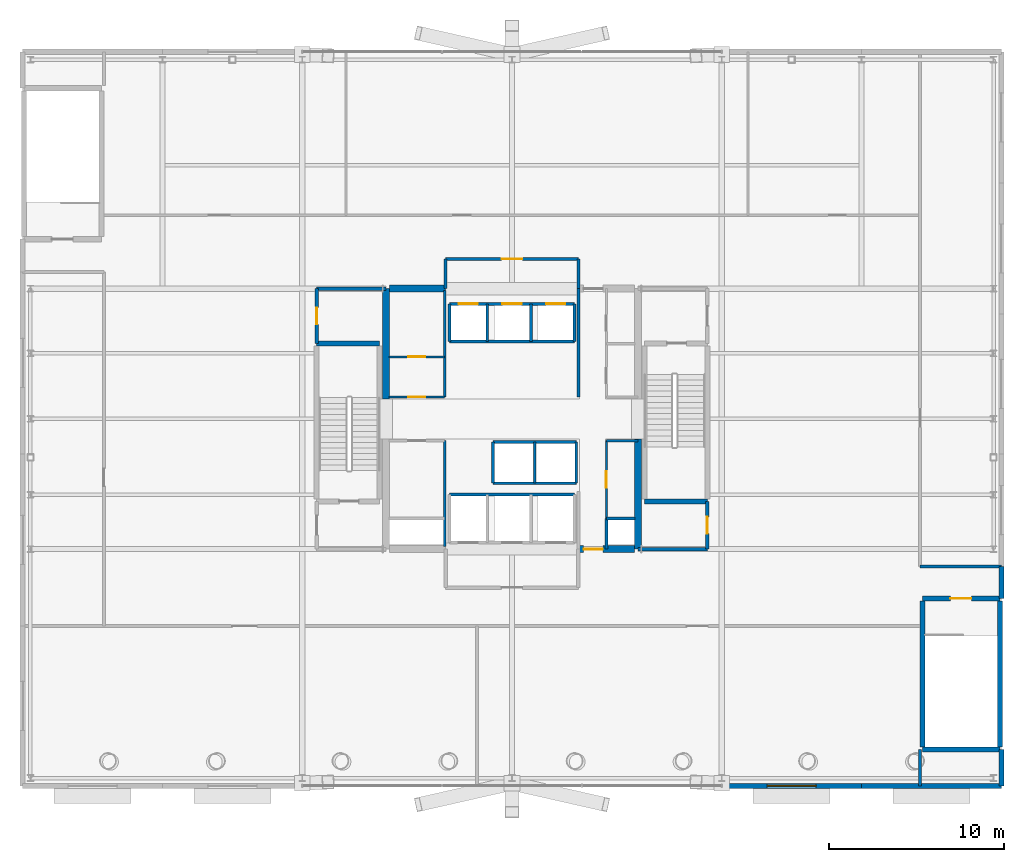
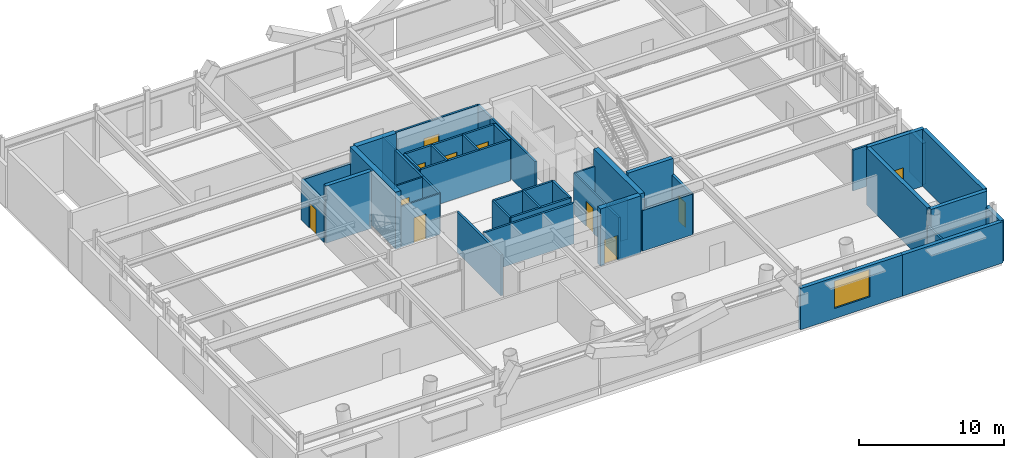
# One storey, part 16 of 21: 44 walls, 11 doors, 1 window, 12 openings.
"""IFC4 building model written with IfcOpenShell, lengths in metres."""

from ifc_helpers import new_model, si_unit, direction, frame, frame_2d, origin, place, context, subcontext, project, spatial, rectangle, extrude, material, layer, layer_set, type_object, element, fill, save


model = new_model("IFC4")

# Units and contexts
model_context = context("Model", 3, precision=1e-05, world=origin(), true_north=direction((0.0, 1.0)))
body_context = subcontext(model_context, "Body", "Model", "MODEL_VIEW")
ifc_project = project(units=[si_unit("LENGTHUNIT", "METRE"), si_unit("AREAUNIT", "SQUARE_METRE"), si_unit("VOLUMEUNIT", "CUBIC_METRE"), si_unit("PLANEANGLEUNIT", "RADIAN"), si_unit("MASSUNIT", "GRAM", prefix="KILO")], contexts=[model_context])

# Site, building, storey
site_placement = place(None, origin())
site = spatial("IfcSite", under=ifc_project, at=site_placement, CompositionType="ELEMENT")
building_placement = place(site_placement, origin())
building = spatial("IfcBuilding", under=site, at=building_placement, Name="Veldorina Hangang Commons", CompositionType="ELEMENT")
storey_placement = place(building_placement, frame((0.0, 0.0, 19.60009765625)))
storey = spatial("IfcBuildingStorey", under=building, at=storey_placement, Name="L04", CompositionType="ELEMENT", Elevation=19.60009765625)

# Walls
ifc_material_1 = material(Name="Concrete C70/85", Category="concrete")
ifc_layer_1 = layer(ifc_material_1, 0.39990234375)
ifc_layer_set_1 = layer_set([ifc_layer_1], Name="Concrete C70/85")
wall_type_1 = type_object("IfcWallType", Name="CW-RC400-C70", PredefinedType="SHEAR", material=ifc_layer_set_1)
for number, where, z_axis, x_axis, name in (
    (1, (24.800048828125, 25.14990234375, 0.0), (0.0, 0.0, 1.0), (0.0, 1.0, 0.0), "L04 W north core shear wall"),
    (2, (39.199951171875, 16.550048828125, 0.0), (0.0, 0.0, 1.0), (0.0, 1.0, 0.0), "L04 E south core shear wall"),
):
    element("IfcWall", number, at=place(storey_placement, frame(where, z_axis=z_axis, x_axis=x_axis)), inside=storey, type_object=wall_type_1, Name=name, PredefinedType="SHEAR", context=body_context, shape_type="SweptSolid", body=[
        extrude(rectangle(XDim=6.300048828125, YDim=0.39990234375, at=frame_2d((3.14990234375, 0.0))), origin(), (0.0, 0.0, 1.0), 4.7998046875),
    ])

# Wall, opening, door
wall_1_placement = place(storey_placement, frame((35.800048828125, 16.550048828125, 0.0), z_axis=(0.0, 0.0, 1.0), x_axis=(1.0, 0.0, 0.0)))
wall_1 = element("IfcWall", 3, at=wall_1_placement, inside=storey, type_object=wall_type_1, Name="L04 south-east core shear wall", PredefinedType="SHEAR", context=body_context, shape_type="SweptSolid", body=[
    extrude(rectangle(XDim=3.199951171875, YDim=0.39990234375, at=frame_2d((1.60009765625, 0.0))), origin(), (0.0, 0.0, 1.0), 4.7998046875),
])
opening_1_placement = place(wall_1_placement, frame((0.300048828125, 0.0, 0.0)))
opening_1 = element("IfcOpeningElement", 4, at=opening_1_placement, cuts=wall_1, Name="Opening D-08", PredefinedType="OPENING", context=body_context, shape_type="SweptSolid", body=[
    extrude(rectangle(XDim=1.10009765625, YDim=2.10009765625, at=frame_2d((0.550048828125, 1.050048828125))), frame((0.0, 0.2099609375, 0.0), z_axis=(0.0, -1.0, 0.0), x_axis=(1.0, 0.0, 0.0)), (0.0, 0.0, 1.0), 0.419921875),
])
ifc_material_2 = material(Name="Steel Fire-Rated Smoke Seal", Category="steel")
door_type_1 = type_object("IfcDoorType", Name="DR-FIRE-1100", OperationType="SINGLE_SWING_RIGHT", PredefinedType="DOOR", material=ifc_material_2)
door_1_placement = place(opening_1_placement, origin())
door_1 = element("IfcDoor", 5, at=door_1_placement, inside=storey, type_object=door_type_1, Name="L04 central lift lobby south corridor door", OperationType="SINGLE_SWING_RIGHT", OverallHeight=2.10009765625, OverallWidth=1.10009765625, PredefinedType="DOOR", context=body_context, shape_type="SweptSolid", body=[
    extrude(rectangle(XDim=1.10009765625, YDim=2.10009765625, at=frame_2d((0.550048828125, 1.050048828125))), frame((0.0, 0.02490234375, 0.0), z_axis=(0.0, -1.0, 0.0), x_axis=(1.0, 0.0, 0.0)), (0.0, 0.0, 1.0), 0.050048828125),
])
fill(opening_1, door_1)

# Wall
wall_2_placement = place(storey_placement, frame((25.0, 31.449951171875, 0.0), z_axis=(0.0, 0.0, 1.0), x_axis=(1.0, 0.0, 0.0)))
element("IfcWall", 6, at=wall_2_placement, inside=storey, type_object=wall_type_1, Name="L04 north-west core shear wall", PredefinedType="SHEAR", context=body_context, shape_type="SweptSolid", body=[
    extrude(rectangle(XDim=3.199951171875, YDim=0.39990234375, at=frame_2d((1.60009765625, 0.0))), origin(), (0.0, 0.0, 1.0), 4.7998046875),
])

# Wall, opening, window
ifc_material_3 = material(Name="Stone Roman Travertine", Category="masonry")
ifc_layer_2 = layer(ifc_material_3, 0.300048828125)
ifc_layer_set_2 = layer_set([ifc_layer_2], Name="Stone Roman Travertine")
wall_type_2 = type_object("IfcWallType", Name="EW-TRAV-300", PredefinedType="STANDARD", material=ifc_layer_set_2)
wall_3_placement = place(storey_placement, frame((43.905029296875, 3.0, 0.0), z_axis=(0.0, 0.0, 1.0), x_axis=(1.0, 0.0, 0.0)))
wall_3 = element("IfcWall", 7, at=wall_3_placement, inside=storey, type_object=wall_type_2, Name="L04 south podium stone wall S6", PredefinedType="STANDARD", context=body_context, shape_type="SweptSolid", body=[
    extrude(rectangle(XDim=8.094970703125, YDim=0.300048828125, at=frame_2d((4.04736328125, 0.0))), origin(), (0.0, 0.0, 1.0), 3.469970703125),
])
opening_2_placement = place(wall_3_placement, frame((2.695068359375, 0.0, 0.85009765625)))
opening_2 = element("IfcOpeningElement", 8, at=opening_2_placement, cuts=wall_3, Name="Opening W-06", PredefinedType="OPENING", context=body_context, shape_type="SweptSolid", body=[
    extrude(rectangle(XDim=2.800048828125, YDim=2.300048828125, at=frame_2d((1.39990234375, 1.14990234375))), frame((0.0, 0.16015625, 0.0), z_axis=(0.0, -1.0, 0.0), x_axis=(1.0, 0.0, 0.0)), (0.0, 0.0, 1.0), 0.320068359375),
])
ifc_material_4 = material(Name="Glass Acoustic Laminated", Category="glass")
window_type = type_object("IfcWindowType", Name="WIN-POD-2800", PartitioningType="SINGLE_PANEL", PredefinedType="WINDOW", material=ifc_material_4)
window_placement = place(opening_2_placement, origin())
window = element("IfcWindow", 9, at=window_placement, inside=storey, type_object=window_type, Name="L04 south podium window S6", OverallHeight=2.300048828125, OverallWidth=2.800048828125, PartitioningType="SINGLE_PANEL", PredefinedType="WINDOW", context=body_context, shape_type="SweptSolid", body=[
    extrude(rectangle(XDim=2.800048828125, YDim=2.300048828125, at=frame_2d((1.39990234375, 1.14990234375))), frame((0.0, 0.030029296875, 0.0), z_axis=(0.0, -1.0, 0.0), x_axis=(1.0, 0.0, 0.0)), (0.0, 0.0, 1.0), 0.06005859375),
])
fill(opening_2, window)

# Walls
wall_4_placement = place(storey_placement, frame((52.0, 3.0, 0.0), z_axis=(0.0, 0.0, 1.0), x_axis=(1.0, 0.0, 0.0)))
element("IfcWall", 10, at=wall_4_placement, inside=storey, type_object=wall_type_2, Name="L04 south podium stone wall S7", PredefinedType="STANDARD", context=body_context, shape_type="SweptSolid", body=[
    extrude(rectangle(XDim=8.0, YDim=0.300048828125, at=frame_2d((4.0, 0.0))), origin(), (0.0, 0.0, 1.0), 3.469970703125),
])
wall_5_placement = place(storey_placement, frame((60.0, 3.0, 0.0), z_axis=(0.0, 0.0, 1.0), x_axis=(0.0, 1.0, 0.0)))
element("IfcWall", 11, at=wall_5_placement, inside=storey, type_object=wall_type_2, Name="L04 east podium stone wall E1", PredefinedType="STANDARD", context=body_context, shape_type="SweptSolid", body=[
    extrude(rectangle(XDim=2.080078125, YDim=0.300048828125, at=frame_2d((1.0400390625, 0.0))), origin(), (0.0, 0.0, 1.0), 3.469970703125),
])
wall_6_placement = place(storey_placement, frame((60.0, 13.719970703125, 0.0), z_axis=(0.0, 0.0, 1.0), x_axis=(0.0, 1.0, 0.0)))
element("IfcWall", 12, at=wall_6_placement, inside=storey, type_object=wall_type_2, Name="L04 east podium stone wall E3", PredefinedType="STANDARD", context=body_context, shape_type="SweptSolid", body=[
    extrude(rectangle(XDim=1.830078125, YDim=0.300048828125, at=frame_2d((0.9150390625, 0.0))), origin(), (0.0, 0.0, 1.0), 3.469970703125),
])
ifc_material_5 = material(Name="Concrete C50/60", Category="concrete")
ifc_layer_3 = layer(ifc_material_5, 0.300048828125)
ifc_layer_set_3 = layer_set([ifc_layer_3], Name="Concrete C50/60")
wall_type_3 = type_object("IfcWallType", Name="SW-STAIR-300", PredefinedType="SHEAR", material=ifc_layer_set_3)
for number, where, z_axis, x_axis, name in (
    (13, (20.820068359375, 28.320068359375, 0.0), (0.0, 0.0, 1.0), (1.0, 0.0, 0.0), "L04 ST1 north stair shear wall"),
    (14, (39.580078125, 19.280029296875, 0.0), (0.0, 0.0, 1.0), (1.0, 0.0, 0.0), "L04 ST2 south stair shear wall"),
):
    element("IfcWall", number, at=place(storey_placement, frame(where, z_axis=z_axis, x_axis=x_axis)), inside=storey, type_object=wall_type_3, Name=name, PredefinedType="SHEAR", context=body_context, shape_type="SweptSolid", body=[
        extrude(rectangle(XDim=3.599853515625, YDim=0.300048828125, at=frame_2d((1.7998046875, 0.0))), origin(), (0.0, 0.0, 1.0), 4.7998046875),
    ])
for number, where, z_axis, x_axis, name in (
    (15, (55.47998046875, 5.22998046875, 0.0), (0.0, 0.0, 1.0), (0.0, 1.0, 0.0), "L04 STP2 W stair shear wall"),
    (16, (59.919921875, 5.22998046875, 0.0), (0.0, 0.0, 1.0), (0.0, 1.0, 0.0), "L04 STP2 E stair shear wall"),
):
    element("IfcWall", number, at=place(storey_placement, frame(where, z_axis=z_axis, x_axis=x_axis)), inside=storey, type_object=wall_type_3, Name=name, PredefinedType="SHEAR", context=body_context, shape_type="SweptSolid", body=[
        extrude(rectangle(XDim=8.340087890625, YDim=0.300048828125, at=frame_2d((4.169921875, 0.0))), origin(), (0.0, 0.0, 1.0), 4.7998046875),
    ])
wall_7_placement = place(storey_placement, frame((55.47998046875, 5.080078125, 0.0), z_axis=(0.0, 0.0, 1.0), x_axis=(1.0, 0.0, 0.0)))
element("IfcWall", 17, at=wall_7_placement, inside=storey, type_object=wall_type_3, Name="L04 STP2 S stair shear wall", PredefinedType="SHEAR", context=body_context, shape_type="SweptSolid", body=[
    extrude(rectangle(XDim=4.43994140625, YDim=0.300048828125, at=frame_2d((2.219970703125, 0.0))), origin(), (0.0, 0.0, 1.0), 4.7998046875),
])

# Wall, opening, door
wall_8_placement = place(storey_placement, frame((55.47998046875, 13.719970703125, 0.0), z_axis=(0.0, 0.0, 1.0), x_axis=(1.0, 0.0, 0.0)))
wall_8 = element("IfcWall", 18, at=wall_8_placement, inside=storey, type_object=wall_type_3, Name="L04 STP2 N stair shear wall", PredefinedType="SHEAR", context=body_context, shape_type="SweptSolid", body=[
    extrude(rectangle(XDim=4.43994140625, YDim=0.300048828125, at=frame_2d((2.219970703125, 0.0))), origin(), (0.0, 0.0, 1.0), 4.7998046875),
])
opening_3_placement = place(wall_8_placement, frame((1.60009765625, 0.0, 0.0)))
opening_3 = element("IfcOpeningElement", 19, at=opening_3_placement, cuts=wall_8, Name="Opening D-09", PredefinedType="OPENING", context=body_context, shape_type="SweptSolid", body=[
    extrude(rectangle(XDim=1.199951171875, YDim=2.10009765625, at=frame_2d((0.60009765625, 1.050048828125))), frame((0.0, 0.16015625, 0.0), z_axis=(0.0, -1.0, 0.0), x_axis=(1.0, 0.0, 0.0)), (0.0, 0.0, 1.0), 0.320068359375),
])
ifc_material_6 = material(Name="Steel Fire-Rated Corridor Door", Category="steel")
door_type_2 = type_object("IfcDoorType", Name="DR-FIRE-1200", OperationType="SINGLE_SWING_LEFT", PredefinedType="DOOR", material=ifc_material_6)
door_2_placement = place(opening_3_placement, origin())
door_2 = element("IfcDoor", 20, at=door_2_placement, inside=storey, type_object=door_type_2, Name="L04 Podium Stair ST-P2 door", OperationType="SINGLE_SWING_RIGHT", OverallHeight=2.10009765625, OverallWidth=1.199951171875, PredefinedType="DOOR", context=body_context, shape_type="SweptSolid", body=[
    extrude(rectangle(XDim=1.199951171875, YDim=2.10009765625, at=frame_2d((0.60009765625, 1.050048828125))), frame((0.0, 0.02490234375, 0.0), z_axis=(0.0, -1.0, 0.0), x_axis=(1.0, 0.0, 0.0)), (0.0, 0.0, 1.0), 0.050048828125),
])
fill(opening_3, door_2)

# Walls
ifc_material_7 = material(Name="Gypsum Fire-Rated Twin Stud Wall", Category="gypsum")
ifc_layer_4 = layer(ifc_material_7, 0.159912109375)
ifc_layer_set_4 = layer_set([ifc_layer_4], Name="Gypsum Fire-Rated Twin Stud Wall")
wall_type_4 = type_object("IfcWallType", Name="WL-FIRE-160", PredefinedType="SOLIDWALL", material=ifc_layer_set_4)
wall_9_placement = place(storey_placement, frame((37.39990234375, 16.550048828125, 0.0), z_axis=(0.0, 0.0, 1.0), x_axis=(0.0, 1.0, 0.0)))
element("IfcWall", 21, at=wall_9_placement, inside=storey, type_object=wall_type_4, Name="L04 Lift passage SE stub 010", PredefinedType="SOLIDWALL", context=body_context, shape_type="SweptSolid", body=[
    extrude(rectangle(XDim=1.75, YDim=0.159912109375, at=frame_2d((0.875, 0.0))), origin(), (0.0, 0.0, 1.0), 3.419921875),
])
wall_10_placement = place(storey_placement, frame((35.800048828125, 25.25, 0.0), z_axis=(0.0, 0.0, 1.0), x_axis=(0.0, 1.0, 0.0)))
element("IfcWall", 22, at=wall_10_placement, inside=storey, type_object=wall_type_4, Name="L04 Lift passage NW wall 011", PredefinedType="SOLIDWALL", context=body_context, shape_type="SweptSolid", body=[
    extrude(rectangle(XDim=6.199951171875, YDim=0.159912109375, at=frame_2d((3.10009765625, 0.0))), origin(), (0.0, 0.0, 1.0), 3.419921875),
])

# Wall, openings, doors
wall_11_placement = place(storey_placement, frame((28.419921875, 30.580078125, 0.0), z_axis=(0.0, 0.0, 1.0), x_axis=(1.0, 0.0, 0.0)))
wall_11 = element("IfcWall", 23, at=wall_11_placement, inside=storey, type_object=wall_type_4, Name="L04 Low-bank front shaft wall 015", PredefinedType="SOLIDWALL", context=body_context, shape_type="SweptSolid", body=[
    extrude(rectangle(XDim=7.16015625, YDim=0.159912109375, at=frame_2d((3.580078125, 0.0))), origin(), (0.0, 0.0, 1.0), 3.419921875),
])
opening_4_placement = place(wall_11_placement, frame((0.530029296875, 0.0, 0.0)))
opening_4 = element("IfcOpeningElement", 24, at=opening_4_placement, cuts=wall_11, Name="Opening LD-01", PredefinedType="OPENING", context=body_context, shape_type="SweptSolid", body=[
    extrude(rectangle(XDim=1.10009765625, YDim=2.14990234375, at=frame_2d((0.550048828125, 1.074951171875))), frame((0.0, 0.08984375, 0.0), z_axis=(0.0, -1.0, 0.0), x_axis=(1.0, 0.0, 0.0)), (0.0, 0.0, 1.0), 0.179931640625),
])
opening_5_placement = place(wall_11_placement, frame((3.030029296875, 0.0, 0.0)))
opening_5 = element("IfcOpeningElement", 25, at=opening_5_placement, cuts=wall_11, Name="Opening LD-01", PredefinedType="OPENING", context=body_context, shape_type="SweptSolid", body=[
    extrude(rectangle(XDim=1.10009765625, YDim=2.14990234375, at=frame_2d((0.550048828125, 1.074951171875))), frame((0.0, 0.08984375, 0.0), z_axis=(0.0, -1.0, 0.0), x_axis=(1.0, 0.0, 0.0)), (0.0, 0.0, 1.0), 0.179931640625),
])
opening_6_placement = place(wall_11_placement, frame((5.530029296875, 0.0, 0.0)))
opening_6 = element("IfcOpeningElement", 26, at=opening_6_placement, cuts=wall_11, Name="Opening LD-01", PredefinedType="OPENING", context=body_context, shape_type="SweptSolid", body=[
    extrude(rectangle(XDim=1.10009765625, YDim=2.14990234375, at=frame_2d((0.550048828125, 1.074951171875))), frame((0.0, 0.08984375, 0.0), z_axis=(0.0, -1.0, 0.0), x_axis=(1.0, 0.0, 0.0)), (0.0, 0.0, 1.0), 0.179931640625),
])
ifc_material_8 = material(Name="Stainless Steel Brushed Lift Door", Category="steel")
door_type_3 = type_object("IfcDoorType", Name="DR-LIFT-1100", OperationType="SLIDING_TO_LEFT", PredefinedType="DOOR", material=ifc_material_8)
door_3_placement = place(opening_4_placement, origin())
door_3 = element("IfcDoor", 27, at=door_3_placement, inside=storey, type_object=door_type_3, Name="L04 Lift PL-L1 landing door 006", OperationType="SLIDING_TO_LEFT", OverallHeight=2.14990234375, OverallWidth=1.10009765625, PredefinedType="DOOR", context=body_context, shape_type="SweptSolid", body=[
    extrude(rectangle(XDim=1.10009765625, YDim=2.14990234375, at=frame_2d((0.550048828125, 1.074951171875))), frame((0.0, 0.02490234375, 0.0), z_axis=(0.0, -1.0, 0.0), x_axis=(1.0, 0.0, 0.0)), (0.0, 0.0, 1.0), 0.050048828125),
])
fill(opening_4, door_3)
door_4_placement = place(opening_5_placement, origin())
door_4 = element("IfcDoor", 28, at=door_4_placement, inside=storey, type_object=door_type_3, Name="L04 Lift PL-L2 landing door 007", OperationType="SLIDING_TO_LEFT", OverallHeight=2.14990234375, OverallWidth=1.10009765625, PredefinedType="DOOR", context=body_context, shape_type="SweptSolid", body=[
    extrude(rectangle(XDim=1.10009765625, YDim=2.14990234375, at=frame_2d((0.550048828125, 1.074951171875))), frame((0.0, 0.02490234375, 0.0), z_axis=(0.0, -1.0, 0.0), x_axis=(1.0, 0.0, 0.0)), (0.0, 0.0, 1.0), 0.050048828125),
])
fill(opening_5, door_4)
door_5_placement = place(opening_6_placement, origin())
door_5 = element("IfcDoor", 29, at=door_5_placement, inside=storey, type_object=door_type_3, Name="L04 Lift PL-L3 landing door 008", OperationType="SLIDING_TO_LEFT", OverallHeight=2.14990234375, OverallWidth=1.10009765625, PredefinedType="DOOR", context=body_context, shape_type="SweptSolid", body=[
    extrude(rectangle(XDim=1.10009765625, YDim=2.14990234375, at=frame_2d((0.550048828125, 1.074951171875))), frame((0.0, 0.02490234375, 0.0), z_axis=(0.0, -1.0, 0.0), x_axis=(1.0, 0.0, 0.0)), (0.0, 0.0, 1.0), 0.050048828125),
])
fill(opening_6, door_5)

# Walls
wall_12_placement = place(storey_placement, frame((28.419921875, 28.419921875, 0.0), z_axis=(0.0, 0.0, 1.0), x_axis=(1.0, 0.0, 0.0)))
element("IfcWall", 30, at=wall_12_placement, inside=storey, type_object=wall_type_4, Name="L04 Low-bank rear shaft wall 016", PredefinedType="SOLIDWALL", context=body_context, shape_type="SweptSolid", body=[
    extrude(rectangle(XDim=7.16015625, YDim=0.159912109375, at=frame_2d((3.580078125, 0.0))), origin(), (0.0, 0.0, 1.0), 3.419921875),
])
for number, where, z_axis, x_axis, name in (
    (31, (28.419921875, 28.419921875, 0.0), (0.0, 0.0, 1.0), (0.0, 1.0, 0.0), "L04 PL-L1 west shaft wall 017"),
    (32, (30.580078125, 28.419921875, 0.0), (0.0, 0.0, 1.0), (0.0, 1.0, 0.0), "L04 PL-L1 east shaft wall 018"),
    (33, (33.080078125, 28.419921875, 0.0), (0.0, 0.0, 1.0), (0.0, 1.0, 0.0), "L04 PL-L2 east shaft wall 019"),
    (34, (35.580078125, 28.419921875, 0.0), (0.0, 0.0, 1.0), (0.0, 1.0, 0.0), "L04 PL-L3 east shaft wall 020"),
):
    element("IfcWall", number, at=place(storey_placement, frame(where, z_axis=z_axis, x_axis=x_axis)), inside=storey, type_object=wall_type_4, Name=name, PredefinedType="SOLIDWALL", context=body_context, shape_type="SweptSolid", body=[
        extrude(rectangle(XDim=2.16015625, YDim=0.159912109375, at=frame_2d((1.080078125, 0.0))), origin(), (0.0, 0.0, 1.0), 3.419921875),
    ])
for number, where, z_axis, x_axis, name in (
    (35, (30.919921875, 22.679931640625, 0.0), (0.0, 0.0, 1.0), (1.0, 0.0, 0.0), "L04 Shuttle-high front shaft wall 021"),
    (36, (30.919921875, 20.320068359375, 0.0), (0.0, 0.0, 1.0), (1.0, 0.0, 0.0), "L04 Shuttle-high rear shaft wall 022"),
):
    element("IfcWall", number, at=place(storey_placement, frame(where, z_axis=z_axis, x_axis=x_axis)), inside=storey, type_object=wall_type_4, Name=name, PredefinedType="SOLIDWALL", context=body_context, shape_type="SweptSolid", body=[
        extrude(rectangle(XDim=4.760009765625, YDim=0.159912109375, at=frame_2d((2.3798828125, 0.0))), origin(), (0.0, 0.0, 1.0), 3.419921875),
    ])
for number, where, z_axis, x_axis, name in (
    (37, (30.919921875, 20.320068359375, 0.0), (0.0, 0.0, 1.0), (0.0, 1.0, 0.0), "L04 SL-1 west shaft wall 023"),
    (38, (33.300048828125, 20.320068359375, 0.0), (0.0, 0.0, 1.0), (0.0, 1.0, 0.0), "L04 SL-1 east shaft wall 024"),
    (39, (35.679931640625, 20.320068359375, 0.0), (0.0, 0.0, 1.0), (0.0, 1.0, 0.0), "L04 SL-2 east shaft wall 025"),
):
    element("IfcWall", number, at=place(storey_placement, frame(where, z_axis=z_axis, x_axis=x_axis)), inside=storey, type_object=wall_type_4, Name=name, PredefinedType="SOLIDWALL", context=body_context, shape_type="SweptSolid", body=[
        extrude(rectangle(XDim=2.35986328125, YDim=0.159912109375, at=frame_2d((1.179931640625, 0.0))), origin(), (0.0, 0.0, 1.0), 3.419921875),
    ])
wall_13_placement = place(storey_placement, frame((28.419921875, 19.679931640625, 0.0), z_axis=(0.0, 0.0, 1.0), x_axis=(1.0, 0.0, 0.0)))
element("IfcWall", 40, at=wall_13_placement, inside=storey, type_object=wall_type_4, Name="L04 Emergency rear shaft wall 027", PredefinedType="SOLIDWALL", context=body_context, shape_type="SweptSolid", body=[
    extrude(rectangle(XDim=7.16015625, YDim=0.159912109375, at=frame_2d((3.580078125, 0.0))), origin(), (0.0, 0.0, 1.0), 3.419921875),
])
for number, where, z_axis, x_axis, name in (
    (41, (28.199951171875, 31.449951171875, 0.0), (0.0, 0.0, 1.0), (0.0, 1.0, 0.0), "L04 North lobby west wall 032"),
    (42, (35.800048828125, 31.449951171875, 0.0), (0.0, 0.0, 1.0), (0.0, 1.0, 0.0), "L04 North lobby east wall 033"),
):
    element("IfcWall", number, at=place(storey_placement, frame(where, z_axis=z_axis, x_axis=x_axis)), inside=storey, type_object=wall_type_4, Name=name, PredefinedType="SOLIDWALL", context=body_context, shape_type="SweptSolid", body=[
        extrude(rectangle(XDim=1.699951171875, YDim=0.159912109375, at=frame_2d((0.85009765625, 0.0))), origin(), (0.0, 0.0, 1.0), 3.419921875),
    ])

# Wall, opening, door
wall_14_placement = place(storey_placement, frame((28.199951171875, 33.14990234375, 0.0), z_axis=(0.0, 0.0, 1.0), x_axis=(1.0, 0.0, 0.0)))
wall_14 = element("IfcWall", 43, at=wall_14_placement, inside=storey, type_object=wall_type_4, Name="L04 North lobby north wall 034", PredefinedType="SOLIDWALL", context=body_context, shape_type="SweptSolid", body=[
    extrude(rectangle(XDim=7.60009765625, YDim=0.159912109375, at=frame_2d((3.800048828125, 0.0))), origin(), (0.0, 0.0, 1.0), 3.419921875),
])
opening_7_placement = place(wall_14_placement, frame((3.199951171875, 0.0, 0.0)))
opening_7 = element("IfcOpeningElement", 44, at=opening_7_placement, cuts=wall_14, Name="Opening D-09", PredefinedType="OPENING", context=body_context, shape_type="SweptSolid", body=[
    extrude(rectangle(XDim=1.199951171875, YDim=2.10009765625, at=frame_2d((0.60009765625, 1.050048828125))), frame((0.0, 0.08984375, 0.0), z_axis=(0.0, -1.0, 0.0), x_axis=(1.0, 0.0, 0.0)), (0.0, 0.0, 1.0), 0.179931640625),
])
door_6_placement = place(opening_7_placement, origin())
door_6 = element("IfcDoor", 45, at=door_6_placement, inside=storey, type_object=door_type_2, Name="L04 North lift lobby corridor door 012", OperationType="SINGLE_SWING_RIGHT", OverallHeight=2.10009765625, OverallWidth=1.199951171875, PredefinedType="DOOR", context=body_context, shape_type="SweptSolid", body=[
    extrude(rectangle(XDim=1.199951171875, YDim=2.10009765625, at=frame_2d((0.60009765625, 1.050048828125))), frame((0.0, 0.02490234375, 0.0), z_axis=(0.0, -1.0, 0.0), x_axis=(1.0, 0.0, 0.0)), (0.0, 0.0, 1.0), 0.050048828125),
])
fill(opening_7, door_6)

# Walls
wall_15_placement = place(storey_placement, frame((28.14990234375, 16.699951171875, 0.0), z_axis=(0.0, 0.0, 1.0), x_axis=(0.0, 1.0, 0.0)))
element("IfcWall", 46, at=wall_15_placement, inside=storey, type_object=wall_type_4, Name="L04 SW core inner wall 036", PredefinedType="SOLIDWALL", context=body_context, shape_type="SweptSolid", body=[
    extrude(rectangle(XDim=6.050048828125, YDim=0.159912109375, at=frame_2d((3.02490234375, 0.0))), origin(), (0.0, 0.0, 1.0), 3.419921875),
])
wall_16_placement = place(storey_placement, frame((37.39990234375, 18.300048828125, 0.0), z_axis=(0.0, 0.0, 1.0), x_axis=(1.0, 0.0, 0.0)))
element("IfcWall", 47, at=wall_16_placement, inside=storey, type_object=wall_type_4, Name="L04 Plumbing riser wall 037", PredefinedType="SOLIDWALL", context=body_context, shape_type="SweptSolid", body=[
    extrude(rectangle(XDim=1.650146484375, YDim=0.159912109375, at=frame_2d((0.8251953125, 0.0))), origin(), (0.0, 0.0, 1.0), 3.419921875),
])
wall_17_placement = place(storey_placement, frame((28.14990234375, 25.25, 0.0), z_axis=(0.0, 0.0, 1.0), x_axis=(0.0, 1.0, 0.0)))
element("IfcWall", 48, at=wall_17_placement, inside=storey, type_object=wall_type_4, Name="L04 NW core inner wall 038", PredefinedType="SOLIDWALL", context=body_context, shape_type="SweptSolid", body=[
    extrude(rectangle(XDim=6.10009765625, YDim=0.159912109375, at=frame_2d((3.050048828125, 0.0))), origin(), (0.0, 0.0, 1.0), 3.419921875),
])
wall_18_placement = place(storey_placement, frame((55.35009765625, 15.550048828125, 0.0), z_axis=(0.0, 0.0, 1.0), x_axis=(1.0, 0.0, 0.0)))
element("IfcWall", 49, at=wall_18_placement, inside=storey, type_object=wall_type_4, Name="L04 L04 east room south wall 052", PredefinedType="SOLIDWALL", context=body_context, shape_type="SweptSolid", body=[
    extrude(rectangle(XDim=4.64990234375, YDim=0.159912109375, at=frame_2d((2.324951171875, 0.0))), origin(), (0.0, 0.0, 1.0), 3.419921875),
])
wall_19_placement = place(storey_placement, frame((55.35009765625, 3.0, 0.0), z_axis=(0.0, 0.0, 1.0), x_axis=(0.0, 1.0, 0.0)))
element("IfcWall", 50, at=wall_19_placement, inside=storey, type_object=wall_type_4, Name="L04 Stacks SE stub wall 055", PredefinedType="SOLIDWALL", context=body_context, shape_type="SweptSolid", body=[
    extrude(rectangle(XDim=2.080078125, YDim=0.159912109375, at=frame_2d((1.0400390625, 0.0))), origin(), (0.0, 0.0, 1.0), 3.419921875),
])

# Wall, opening, door
ifc_material_9 = material(Name="Concrete Blockwork Fire Wall C30/37", Category="masonry")
ifc_layer_5 = layer(ifc_material_9, 0.199951171875)
ifc_layer_set_5 = layer_set([ifc_layer_5], Name="Concrete Blockwork Fire Wall C30/37")
wall_type_5 = type_object("IfcWallType", Name="WL-FIRE-200", PredefinedType="SOLIDWALL", material=ifc_layer_set_5)
wall_20_placement = place(storey_placement, frame((20.820068359375, 28.320068359375, 0.0), z_axis=(0.0, 0.0, 1.0), x_axis=(0.0, 1.0, 0.0)))
wall_20 = element("IfcWall", 51, at=wall_20_placement, inside=storey, type_object=wall_type_5, Name="L04 NW core room outer wall 005", PredefinedType="SOLIDWALL", context=body_context, shape_type="SweptSolid", body=[
    extrude(rectangle(XDim=3.1298828125, YDim=0.199951171875, at=frame_2d((1.56494140625, 0.0))), origin(), (0.0, 0.0, 1.0), 3.419921875),
])
opening_8_placement = place(wall_20_placement, frame((1.090087890625, 0.0, 0.0)))
opening_8 = element("IfcOpeningElement", 52, at=opening_8_placement, cuts=wall_20, Name="Opening D-04", PredefinedType="OPENING", context=body_context, shape_type="SweptSolid", body=[
    extrude(rectangle(XDim=0.949951171875, YDim=2.10009765625, at=frame_2d((0.47509765625, 1.050048828125))), frame((0.0, 0.10986328125, 0.0), z_axis=(0.0, -1.0, 0.0), x_axis=(1.0, 0.0, 0.0)), (0.0, 0.0, 1.0), 0.219970703125),
])
ifc_material_10 = material(Name="Timber Accessible Flush Leaf", Category="wood")
door_type_4 = type_object("IfcDoorType", Name="DR-ACC-950", OperationType="SINGLE_SWING_LEFT", PredefinedType="DOOR", material=ifc_material_10)
door_7_placement = place(opening_8_placement, origin())
door_7 = element("IfcDoor", 53, at=door_7_placement, inside=storey, type_object=door_type_4, Name="L04 NW core WC door 003", OperationType="SINGLE_SWING_LEFT", OverallHeight=2.10009765625, OverallWidth=0.949951171875, PredefinedType="DOOR", context=body_context, shape_type="SweptSolid", body=[
    extrude(rectangle(XDim=0.949951171875, YDim=2.10009765625, at=frame_2d((0.47509765625, 1.050048828125))), frame((0.0, 0.02490234375, 0.0), z_axis=(0.0, -1.0, 0.0), x_axis=(1.0, 0.0, 0.0)), (0.0, 0.0, 1.0), 0.050048828125),
])
fill(opening_8, door_7)

# Wall
wall_21_placement = place(storey_placement, frame((20.820068359375, 31.449951171875, 0.0), z_axis=(0.0, 0.0, 1.0), x_axis=(1.0, 0.0, 0.0)))
element("IfcWall", 54, at=wall_21_placement, inside=storey, type_object=wall_type_5, Name="L04 NW core room north wall 006", PredefinedType="SOLIDWALL", context=body_context, shape_type="SweptSolid", body=[
    extrude(rectangle(XDim=3.97998046875, YDim=0.199951171875, at=frame_2d((1.989990234375, 0.0))), origin(), (0.0, 0.0, 1.0), 3.419921875),
])

# Wall, opening, door
wall_22_placement = place(storey_placement, frame((43.179931640625, 16.550048828125, 0.0), z_axis=(0.0, 0.0, 1.0), x_axis=(0.0, 1.0, 0.0)))
wall_22 = element("IfcWall", 55, at=wall_22_placement, inside=storey, type_object=wall_type_5, Name="L04 SE core room outer wall 007", PredefinedType="SOLIDWALL", context=body_context, shape_type="SweptSolid", body=[
    extrude(rectangle(XDim=2.72998046875, YDim=0.199951171875, at=frame_2d((1.364990234375, 0.0))), origin(), (0.0, 0.0, 1.0), 3.419921875),
])
opening_9_placement = place(wall_22_placement, frame((0.889892578125, 0.0, 0.0)))
opening_9 = element("IfcOpeningElement", 56, at=opening_9_placement, cuts=wall_22, Name="Opening D-02", PredefinedType="OPENING", context=body_context, shape_type="SweptSolid", body=[
    extrude(rectangle(XDim=0.949951171875, YDim=2.10009765625, at=frame_2d((0.47509765625, 1.050048828125))), frame((0.0, 0.10986328125, 0.0), z_axis=(0.0, -1.0, 0.0), x_axis=(1.0, 0.0, 0.0)), (0.0, 0.0, 1.0), 0.219970703125),
])
ifc_material_11 = material(Name="Timber Solid Core Acoustic", Category="wood")
door_type_5 = type_object("IfcDoorType", Name="DR-INT-950", OperationType="SINGLE_SWING_LEFT", PredefinedType="DOOR", material=ifc_material_11)
door_8_placement = place(opening_9_placement, origin())
door_8 = element("IfcDoor", 57, at=door_8_placement, inside=storey, type_object=door_type_5, Name="L04 SE core WC door 004", OperationType="SINGLE_SWING_RIGHT", OverallHeight=2.10009765625, OverallWidth=0.949951171875, PredefinedType="DOOR", context=body_context, shape_type="SweptSolid", body=[
    extrude(rectangle(XDim=0.949951171875, YDim=2.10009765625, at=frame_2d((0.47509765625, 1.050048828125))), frame((0.0, 0.02490234375, 0.0), z_axis=(0.0, -1.0, 0.0), x_axis=(1.0, 0.0, 0.0)), (0.0, 0.0, 1.0), 0.050048828125),
])
fill(opening_9, door_8)

# Wall
wall_23_placement = place(storey_placement, frame((39.199951171875, 16.550048828125, 0.0), z_axis=(0.0, 0.0, 1.0), x_axis=(1.0, 0.0, 0.0)))
element("IfcWall", 58, at=wall_23_placement, inside=storey, type_object=wall_type_5, Name="L04 SE core room south wall 008", PredefinedType="SOLIDWALL", context=body_context, shape_type="SweptSolid", body=[
    extrude(rectangle(XDim=3.97998046875, YDim=0.199951171875, at=frame_2d((1.989990234375, 0.0))), origin(), (0.0, 0.0, 1.0), 3.419921875),
])

# Wall, opening, door
ifc_material_12 = material(Name="Gypsum Acoustic Stud Partition", Category="gypsum")
ifc_layer_6 = layer(ifc_material_12, 0.1201171875)
ifc_layer_set_6 = layer_set([ifc_layer_6], Name="Gypsum Acoustic Stud Partition")
wall_type_6 = type_object("IfcWallType", Name="WL-PART-120", PredefinedType="PARTITIONING", material=ifc_layer_set_6)
wall_24_placement = place(storey_placement, frame((24.949951171875, 25.25, 0.0), z_axis=(0.0, 0.0, 1.0), x_axis=(1.0, 0.0, 0.0)))
wall_24 = element("IfcWall", 59, at=wall_24_placement, inside=storey, type_object=wall_type_6, Name="L04 NW service south wall 039", PredefinedType="PARTITIONING", context=body_context, shape_type="SweptSolid", body=[
    extrude(rectangle(XDim=3.199951171875, YDim=0.1201171875, at=frame_2d((1.60009765625, 0.0))), origin(), (0.0, 0.0, 1.0), 3.419921875),
])
opening_10_placement = place(wall_24_placement, frame((1.125, 0.0, 0.0)))
opening_10 = element("IfcOpeningElement", 60, at=opening_10_placement, cuts=wall_24, Name="Opening D-02", PredefinedType="OPENING", context=body_context, shape_type="SweptSolid", body=[
    extrude(rectangle(XDim=0.949951171875, YDim=2.10009765625, at=frame_2d((0.47509765625, 1.050048828125))), frame((0.0, 0.070068359375, 0.0), z_axis=(0.0, -1.0, 0.0), x_axis=(1.0, 0.0, 0.0)), (0.0, 0.0, 1.0), 0.14013671875),
])
door_9_placement = place(opening_10_placement, origin())
door_9 = element("IfcDoor", 61, at=door_9_placement, inside=storey, type_object=door_type_5, Name="L04 Housekeeping pantry door 013", OperationType="SINGLE_SWING_LEFT", OverallHeight=2.10009765625, OverallWidth=0.949951171875, PredefinedType="DOOR", context=body_context, shape_type="SweptSolid", body=[
    extrude(rectangle(XDim=0.949951171875, YDim=2.10009765625, at=frame_2d((0.47509765625, 1.050048828125))), frame((0.0, 0.02490234375, 0.0), z_axis=(0.0, -1.0, 0.0), x_axis=(1.0, 0.0, 0.0)), (0.0, 0.0, 1.0), 0.050048828125),
])
fill(opening_10, door_9)

wall_25_placement = place(storey_placement, frame((37.39990234375, 18.300048828125, 0.0), z_axis=(0.0, 0.0, 1.0), x_axis=(0.0, 1.0, 0.0)))
wall_25 = element("IfcWall", 62, at=wall_25_placement, inside=storey, type_object=wall_type_6, Name="L04 SE strip lobby wall 043", PredefinedType="PARTITIONING", context=body_context, shape_type="SweptSolid", body=[
    extrude(rectangle(XDim=4.449951171875, YDim=0.1201171875, at=frame_2d((2.22509765625, 0.0))), origin(), (0.0, 0.0, 1.0), 3.419921875),
])
opening_11_placement = place(wall_25_placement, frame((1.75, 0.0, 0.0)))
opening_11 = element("IfcOpeningElement", 63, at=opening_11_placement, cuts=wall_25, Name="Opening D-02", PredefinedType="OPENING", context=body_context, shape_type="SweptSolid", body=[
    extrude(rectangle(XDim=0.949951171875, YDim=2.10009765625, at=frame_2d((0.47509765625, 1.050048828125))), frame((0.0, 0.070068359375, 0.0), z_axis=(0.0, -1.0, 0.0), x_axis=(1.0, 0.0, 0.0)), (0.0, 0.0, 1.0), 0.14013671875),
])
door_10_placement = place(opening_11_placement, origin())
door_10 = element("IfcDoor", 64, at=door_10_placement, inside=storey, type_object=door_type_5, Name="L04 Cleaners supply door 018", OperationType="SINGLE_SWING_RIGHT", OverallHeight=2.10009765625, OverallWidth=0.949951171875, PredefinedType="DOOR", context=body_context, shape_type="SweptSolid", body=[
    extrude(rectangle(XDim=0.949951171875, YDim=2.10009765625, at=frame_2d((0.47509765625, 1.050048828125))), frame((0.0, 0.02490234375, 0.0), z_axis=(0.0, -1.0, 0.0), x_axis=(1.0, 0.0, 0.0)), (0.0, 0.0, 1.0), 0.050048828125),
])
fill(opening_11, door_10)

# Wall
wall_26_placement = place(storey_placement, frame((37.39990234375, 22.75, 0.0), z_axis=(0.0, 0.0, 1.0), x_axis=(1.0, 0.0, 0.0)))
element("IfcWall", 65, at=wall_26_placement, inside=storey, type_object=wall_type_6, Name="L04 SE strip north return wall 044", PredefinedType="PARTITIONING", context=body_context, shape_type="SweptSolid", body=[
    extrude(rectangle(XDim=1.800048828125, YDim=0.1201171875, at=frame_2d((0.89990234375, 0.0))), origin(), (0.0, 0.0, 1.0), 3.419921875),
])

# Wall, opening, door
wall_27_placement = place(storey_placement, frame((24.949951171875, 27.550048828125, 0.0), z_axis=(0.0, 0.0, 1.0), x_axis=(1.0, 0.0, 0.0)))
wall_27 = element("IfcWall", 66, at=wall_27_placement, inside=storey, type_object=wall_type_6, Name="L04 NW mid wall 045", PredefinedType="PARTITIONING", context=body_context, shape_type="SweptSolid", body=[
    extrude(rectangle(XDim=3.199951171875, YDim=0.1201171875, at=frame_2d((1.60009765625, 0.0))), origin(), (0.0, 0.0, 1.0), 3.419921875),
])
opening_12_placement = place(wall_27_placement, frame((1.125, 0.0, 0.0)))
opening_12 = element("IfcOpeningElement", 67, at=opening_12_placement, cuts=wall_27, Name="Opening D-02", PredefinedType="OPENING", context=body_context, shape_type="SweptSolid", body=[
    extrude(rectangle(XDim=0.949951171875, YDim=2.10009765625, at=frame_2d((0.47509765625, 1.050048828125))), frame((0.0, 0.070068359375, 0.0), z_axis=(0.0, -1.0, 0.0), x_axis=(1.0, 0.0, 0.0)), (0.0, 0.0, 1.0), 0.14013671875),
])
door_11_placement = place(opening_12_placement, origin())
door_11 = element("IfcDoor", 68, at=door_11_placement, inside=storey, type_object=door_type_5, Name="L04 Bedding store door 014", OperationType="SINGLE_SWING_RIGHT", OverallHeight=2.10009765625, OverallWidth=0.949951171875, PredefinedType="DOOR", context=body_context, shape_type="SweptSolid", body=[
    extrude(rectangle(XDim=0.949951171875, YDim=2.10009765625, at=frame_2d((0.47509765625, 1.050048828125))), frame((0.0, 0.02490234375, 0.0), z_axis=(0.0, -1.0, 0.0), x_axis=(1.0, 0.0, 0.0)), (0.0, 0.0, 1.0), 0.050048828125),
])
fill(opening_12, door_11)

save(model, "model.ifc")
